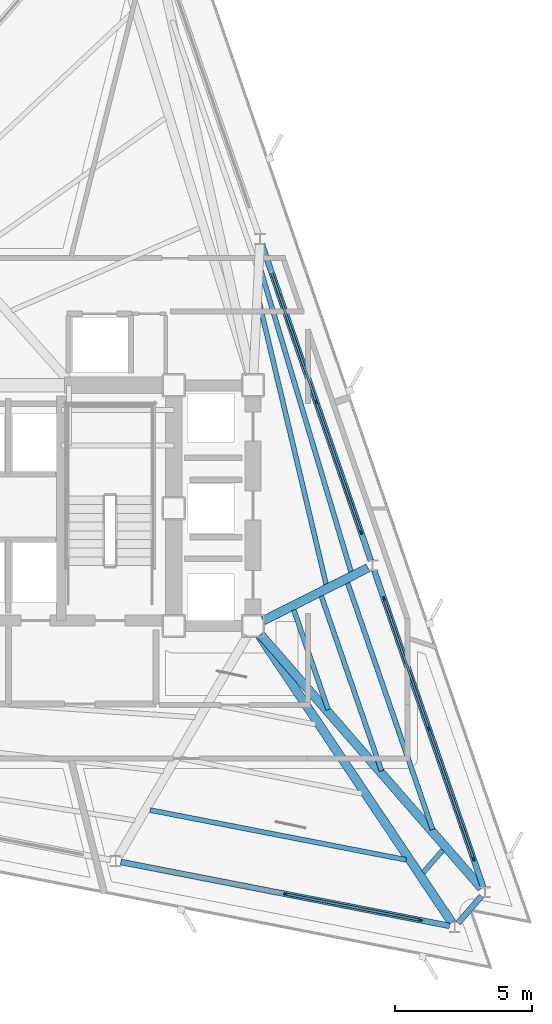
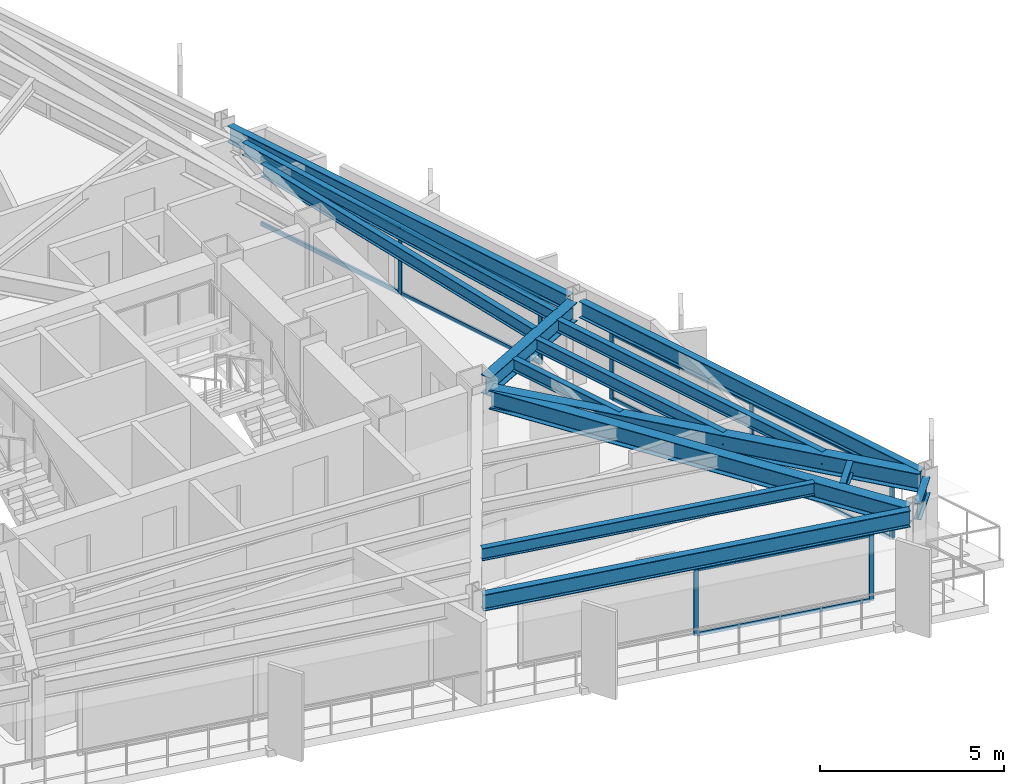
# One storey, part 6 of 13: 17 members, 14 beams, 3 elements without a shape of their own.
"""IFC4 building model written with IfcOpenShell, lengths in metres."""

from ifc_helpers import new_model, si_unit, direction, frame, origin, origin_2d, place, context, subcontext, project, spatial, rectangle, i_section, extrude, material, layer, layer_set, material_profile, profile_set, type_object, element, aggregate, save


model = new_model("IFC4")

# Units and contexts
model_context = context("Model", 3, precision=1e-05, world=origin(), true_north=direction((0.0, 1.0)))
body_context = subcontext(model_context, "Body", "Model", "MODEL_VIEW")
ifc_project = project(units=[si_unit("LENGTHUNIT", "METRE"), si_unit("AREAUNIT", "SQUARE_METRE"), si_unit("VOLUMEUNIT", "CUBIC_METRE"), si_unit("PLANEANGLEUNIT", "RADIAN"), si_unit("MASSUNIT", "GRAM", prefix="KILO")], contexts=[model_context])

# Site, building, storey
site_placement = place(None, origin())
site = spatial("IfcSite", under=ifc_project, at=site_placement, CompositionType="ELEMENT")
building_placement = place(site_placement, origin())
building = spatial("IfcBuilding", under=site, at=building_placement, Name="Rocaltana Carrier Exchange", CompositionType="ELEMENT")
storey_placement = place(building_placement, frame((0.0, 0.0, 150.239990234375)))
storey = spatial("IfcBuildingStorey", under=building, at=storey_placement, Name="L47", CompositionType="ELEMENT", Elevation=150.239990234375)

# Curtain wall, members
ifc_material_1 = material(Name="Aluminium 6063-T6", Category="aluminium")
ifc_layer = layer(ifc_material_1, 0.135009765625)
ifc_layer_set = layer_set([ifc_layer], Name="Aluminium 6063-T6")
curtain_wall_type = type_object("IfcCurtainWallType", Name="Upper-Mid Acoustic Curtain Wall CW-04", PredefinedType="NOTDEFINED", material=ifc_layer_set)
curtain_wall_1_placement = place(storey_placement, origin())
curtain_wall_1 = element("IfcCurtainWall", 1, at=curtain_wall_1_placement, inside=storey, type_object=curtain_wall_type, Name="L47 CW-04 Run CW-L47-F1S1", PredefinedType="NOTDEFINED")
ifc_material_2 = material(Name="Aluminium 6063-T6", Category="aluminium")
ifc_material_profile_1 = material_profile(ifc_material_2, rectangle(XDim=0.06494140625, YDim=0.135009765625, at=origin_2d()), Name="AL-65X135")
ifc_profile_set_1 = profile_set([ifc_material_profile_1], Name="Aluminium 6063-T6")
member_type_1 = type_object("IfcMemberType", Name="CW-04 Mullion AL-65X135", PredefinedType="MULLION", material=ifc_profile_set_1)
member_1_placement = place(storey_placement, frame((17.016357421875, -12.826171875, 0.0), z_axis=(0.0, 0.0, 1.0), x_axis=(-0.945521800517, -0.325558788464, 0.0)))
member_1 = element("IfcMember", 2, at=member_1_placement, type_object=member_type_1, Name="CW-04 mullion 1", PredefinedType="MULLION", context=body_context, shape_type="SweptSolid", body=[
    extrude(rectangle(XDim=0.06494140625, YDim=0.135009765625, at=origin_2d()), origin(), (0.0, 0.0, 1.0), 2.218017578125),
])
member_2_placement = place(storey_placement, frame((15.37744140625, -8.06640625, 0.0), z_axis=(0.0, 0.0, 1.0), x_axis=(-0.945521800517, -0.325558788464, 0.0)))
member_2 = element("IfcMember", 3, at=member_2_placement, type_object=member_type_1, Name="CW-04 mullion 2", PredefinedType="MULLION", context=body_context, shape_type="SweptSolid", body=[
    extrude(rectangle(XDim=0.06494140625, YDim=0.135009765625, at=origin_2d()), origin(), (0.0, 0.0, 1.0), 2.218017578125),
])
member_3_placement = place(storey_placement, frame((13.738525390625, -3.306396484375, 0.0), z_axis=(0.0, 0.0, 1.0), x_axis=(-0.945521800517, -0.325558788464, 0.0)))
member_3 = element("IfcMember", 4, at=member_3_placement, type_object=member_type_1, Name="CW-04 mullion 3", PredefinedType="MULLION", context=body_context, shape_type="SweptSolid", body=[
    extrude(rectangle(XDim=0.06494140625, YDim=0.135009765625, at=origin_2d()), origin(), (0.0, 0.0, 1.0), 2.218017578125),
])

curtain_wall_2_placement = place(storey_placement, origin())
curtain_wall_2 = element("IfcCurtainWall", 5, at=curtain_wall_2_placement, inside=storey, type_object=curtain_wall_type, Name="L47 CW-04 Run CW-L47-F1S2", PredefinedType="NOTDEFINED")
member_4_placement = place(storey_placement, frame((12.9033203125, -0.881103515625, 0.0), z_axis=(0.0, 0.0, 1.0), x_axis=(-0.945520754562, -0.32556182622, 0.0)))
member_4 = element("IfcMember", 6, at=member_4_placement, type_object=member_type_1, Name="CW-04 mullion 1", PredefinedType="MULLION", context=body_context, shape_type="SweptSolid", body=[
    extrude(rectangle(XDim=0.06494140625, YDim=0.135009765625, at=origin_2d()), origin(), (0.0, 0.0, 1.0), 2.218017578125),
])
member_5_placement = place(storey_placement, frame((11.264404296875, 3.878662109375, 0.0), z_axis=(0.0, 0.0, 1.0), x_axis=(-0.945520754562, -0.32556182622, 0.0)))
member_5 = element("IfcMember", 7, at=member_5_placement, type_object=member_type_1, Name="CW-04 mullion 2", PredefinedType="MULLION", context=body_context, shape_type="SweptSolid", body=[
    extrude(rectangle(XDim=0.06494140625, YDim=0.135009765625, at=origin_2d()), origin(), (0.0, 0.0, 1.0), 2.218017578125),
])

curtain_wall_3_placement = place(storey_placement, origin())
curtain_wall_3 = element("IfcCurtainWall", 8, at=curtain_wall_3_placement, inside=storey, type_object=curtain_wall_type, Name="L47 CW-04 Run CW-L47-F3S3", PredefinedType="NOTDEFINED")
member_6_placement = place(storey_placement, frame((10.1279296875, -14.105224609375, 0.0), z_axis=(0.0, 0.0, 1.0), x_axis=(0.190805209699, 0.981627919301, 0.0)))
member_6 = element("IfcMember", 9, at=member_6_placement, type_object=member_type_1, Name="CW-04 mullion 2", PredefinedType="MULLION", context=body_context, shape_type="SweptSolid", body=[
    extrude(rectangle(XDim=0.06494140625, YDim=0.135009765625, at=origin_2d()), origin(), (0.0, 0.0, 1.0), 2.218017578125),
])
member_7_placement = place(storey_placement, frame((15.069580078125, -15.06591796875, 0.0), z_axis=(0.0, 0.0, 1.0), x_axis=(0.190805209699, 0.981627919301, 0.0)))
member_7 = element("IfcMember", 10, at=member_7_placement, type_object=member_type_1, Name="CW-04 mullion 3", PredefinedType="MULLION", context=body_context, shape_type="SweptSolid", body=[
    extrude(rectangle(XDim=0.06494140625, YDim=0.135009765625, at=origin_2d()), origin(), (0.0, 0.0, 1.0), 2.218017578125),
])

# Member
ifc_material_3 = material(Name="Aluminium 6063-T6", Category="aluminium")
ifc_material_profile_2 = material_profile(ifc_material_3, rectangle(XDim=0.06494140625, YDim=0.135009765625, at=origin_2d()), Name="AL-65X135")
ifc_profile_set_2 = profile_set([ifc_material_profile_2], Name="Aluminium 6063-T6")
member_type_2 = type_object("IfcMemberType", Name="CW-04 Transom AL-65X135", PredefinedType="USERDEFINED", material=ifc_profile_set_2)
member_8_placement = place(storey_placement, frame((17.005859375, -12.795654296875, 0.032470703125), z_axis=(-0.325542462737, 0.945527421578, 0.0), x_axis=(-0.945527421578, -0.325542462737, 0.0)))
member_8 = element("IfcMember", 11, at=member_8_placement, type_object=member_type_2, Name="CW-04 transom 1.1", ObjectType="TRANSOM", PredefinedType="USERDEFINED", context=body_context, shape_type="SweptSolid", body=[
    extrude(rectangle(XDim=0.06494140625, YDim=0.135009765625, at=origin_2d()), origin(), (0.0, 0.0, 1.0), 4.96923828125),
])

member_9_placement = place(storey_placement, frame((17.005859375, -12.795654296875, 2.185546875), z_axis=(-0.325542462737, 0.945527421578, 0.0), x_axis=(-0.945527421578, -0.325542462737, 0.0)))
member_9 = element("IfcMember", 12, at=member_9_placement, type_object=member_type_2, Name="CW-04 transom 1.2", ObjectType="TRANSOM", PredefinedType="USERDEFINED", context=body_context, shape_type="SweptSolid", body=[
    extrude(rectangle(XDim=0.06494140625, YDim=0.135009765625, at=origin_2d()), origin(), (0.0, 0.0, 1.0), 4.96923828125),
])

member_10_placement = place(storey_placement, frame((15.366943359375, -8.03564453125, 0.032470703125), z_axis=(-0.325542462737, 0.945527421578, 0.0), x_axis=(-0.945527421578, -0.325542462737, 0.0)))
member_10 = element("IfcMember", 13, at=member_10_placement, type_object=member_type_2, Name="CW-04 transom 2.1", ObjectType="TRANSOM", PredefinedType="USERDEFINED", context=body_context, shape_type="SweptSolid", body=[
    extrude(rectangle(XDim=0.06494140625, YDim=0.135009765625, at=origin_2d()), origin(), (0.0, 0.0, 1.0), 4.96923828125),
])

member_11_placement = place(storey_placement, frame((15.366943359375, -8.03564453125, 2.185546875), z_axis=(-0.325542462737, 0.945527421578, 0.0), x_axis=(-0.945527421578, -0.325542462737, 0.0)))
member_11 = element("IfcMember", 14, at=member_11_placement, type_object=member_type_2, Name="CW-04 transom 2.2", ObjectType="TRANSOM", PredefinedType="USERDEFINED", context=body_context, shape_type="SweptSolid", body=[
    extrude(rectangle(XDim=0.06494140625, YDim=0.135009765625, at=origin_2d()), origin(), (0.0, 0.0, 1.0), 4.96923828125),
])

aggregate(curtain_wall_1, [member_1, member_2, member_3, member_8, member_9, member_10, member_11])

member_12_placement = place(storey_placement, frame((12.892822265625, -0.850341796875, 0.032470703125), z_axis=(-0.325557586399, 0.945522214407, 0.0), x_axis=(-0.945522214407, -0.325557586399, 0.0)))
member_12 = element("IfcMember", 15, at=member_12_placement, type_object=member_type_2, Name="CW-04 transom 1.1", ObjectType="TRANSOM", PredefinedType="USERDEFINED", context=body_context, shape_type="SweptSolid", body=[
    extrude(rectangle(XDim=0.06494140625, YDim=0.135009765625, at=origin_2d()), origin(), (0.0, 0.0, 1.0), 4.968994140625),
])

member_13_placement = place(storey_placement, frame((12.892822265625, -0.850341796875, 2.185546875), z_axis=(-0.325557586399, 0.945522214407, 0.0), x_axis=(-0.945522214407, -0.325557586399, 0.0)))
member_13 = element("IfcMember", 16, at=member_13_placement, type_object=member_type_2, Name="CW-04 transom 1.2", ObjectType="TRANSOM", PredefinedType="USERDEFINED", context=body_context, shape_type="SweptSolid", body=[
    extrude(rectangle(XDim=0.06494140625, YDim=0.135009765625, at=origin_2d()), origin(), (0.0, 0.0, 1.0), 4.968994140625),
])

member_14_placement = place(storey_placement, frame((11.25390625, 3.909423828125, 0.032470703125), z_axis=(-0.325542462737, 0.945527421578, 0.0), x_axis=(-0.945527421578, -0.325542462737, 0.0)))
member_14 = element("IfcMember", 17, at=member_14_placement, type_object=member_type_2, Name="CW-04 transom 2.1", ObjectType="TRANSOM", PredefinedType="USERDEFINED", context=body_context, shape_type="SweptSolid", body=[
    extrude(rectangle(XDim=0.06494140625, YDim=0.135009765625, at=origin_2d()), origin(), (0.0, 0.0, 1.0), 4.96923828125),
])

member_15_placement = place(storey_placement, frame((11.25390625, 3.909423828125, 2.185546875), z_axis=(-0.325542462737, 0.945527421578, 0.0), x_axis=(-0.945527421578, -0.325542462737, 0.0)))
member_15 = element("IfcMember", 18, at=member_15_placement, type_object=member_type_2, Name="CW-04 transom 2.2", ObjectType="TRANSOM", PredefinedType="USERDEFINED", context=body_context, shape_type="SweptSolid", body=[
    extrude(rectangle(XDim=0.06494140625, YDim=0.135009765625, at=origin_2d()), origin(), (0.0, 0.0, 1.0), 4.96923828125),
])

aggregate(curtain_wall_2, [member_4, member_5, member_12, member_13, member_14, member_15])

member_16_placement = place(storey_placement, frame((10.159912109375, -14.111572265625, 0.032470703125), z_axis=(0.981633795462, -0.190774976365, 0.0), x_axis=(0.190774976365, 0.981633795462, 0.0)))
member_16 = element("IfcMember", 19, at=member_16_placement, type_object=member_type_2, Name="CW-04 transom 2.1", ObjectType="TRANSOM", PredefinedType="USERDEFINED", context=body_context, shape_type="SweptSolid", body=[
    extrude(rectangle(XDim=0.06494140625, YDim=0.135009765625, at=origin_2d()), origin(), (0.0, 0.0, 1.0), 4.96923828125),
])

member_17_placement = place(storey_placement, frame((10.159912109375, -14.111572265625, 2.185546875), z_axis=(0.981633795462, -0.190774976365, 0.0), x_axis=(0.190774976365, 0.981633795462, 0.0)))
member_17 = element("IfcMember", 20, at=member_17_placement, type_object=member_type_2, Name="CW-04 transom 2.2", ObjectType="TRANSOM", PredefinedType="USERDEFINED", context=body_context, shape_type="SweptSolid", body=[
    extrude(rectangle(XDim=0.06494140625, YDim=0.135009765625, at=origin_2d()), origin(), (0.0, 0.0, 1.0), 4.96923828125),
])

aggregate(curtain_wall_3, [member_6, member_7, member_16, member_17])

# Beams
ifc_material_4 = material(Name="Steel S355", Category="steel")
ifc_material_profile_3 = material_profile(ifc_material_4, i_section(OverallWidth=0.179931640625, OverallDepth=0.4130859375, WebThickness=0.009765625, FlangeThickness=0.01611328125, FilletRadius=0.012939453125, at=origin_2d()), Name="W16X50")
ifc_profile_set_3 = profile_set([ifc_material_profile_3], Name="Steel S355")
beam_type_1 = type_object("IfcBeamType", Name="Floor Joist W16X50", PredefinedType="JOIST", material=ifc_profile_set_3)
beam_1_placement = place(storey_placement, frame((11.698974609375, -7.3662109375, 2.58154296875), z_axis=(-0.325612206056, 0.94550340627, 0.0), x_axis=(-0.94550340627, -0.325612206056, 0.0)))
element("IfcBeam", 21, at=beam_1_placement, inside=storey, type_object=beam_type_1, Name="FJ-L47-01-1", PredefinedType="JOIST", context=body_context, shape_type="SweptSolid", body=[
    extrude(i_section(OverallWidth=0.179931640625, OverallDepth=0.4130859375, WebThickness=0.009765625, FlangeThickness=0.01611328125, FilletRadius=0.012939453125, at=origin_2d()), origin(), (0.0, 0.0, 1.0), 3.85693359375),
])
beam_2_placement = place(storey_placement, frame((13.650390625, -9.606201171875, 2.58154296875), z_axis=(-0.325591245861, 0.945510624276, 0.0), x_axis=(-0.945510624276, -0.325591245861, 0.0)))
element("IfcBeam", 22, at=beam_2_placement, inside=storey, type_object=beam_type_1, Name="FJ-L47-01-2", PredefinedType="JOIST", context=body_context, shape_type="SweptSolid", body=[
    extrude(i_section(OverallWidth=0.179931640625, OverallDepth=0.4130859375, WebThickness=0.009765625, FlangeThickness=0.01611328125, FilletRadius=0.012939453125, at=origin_2d()), origin(), (0.0, 0.0, 1.0), 6.7626953125),
])
beam_3_placement = place(storey_placement, frame((15.5166015625, -11.748779296875, 2.58154296875), z_axis=(-0.325561689651, 0.945520801586, 0.0), x_axis=(-0.945520801586, -0.325561689651, 0.0)))
element("IfcBeam", 23, at=beam_3_placement, inside=storey, type_object=beam_type_1, Name="FJ-L47-01-3", PredefinedType="JOIST", context=body_context, shape_type="SweptSolid", body=[
    extrude(i_section(OverallWidth=0.179931640625, OverallDepth=0.4130859375, WebThickness=0.009765625, FlangeThickness=0.01611328125, FilletRadius=0.012939453125, at=origin_2d()), origin(), (0.0, 0.0, 1.0), 9.541748046875),
])
beam_4_placement = place(storey_placement, frame((11.6240234375, -2.780517578125, 2.58154296875), z_axis=(-0.230805777183, 0.972999842353, 0.0), x_axis=(-0.972999842353, -0.230805777183, 0.0)))
element("IfcBeam", 24, at=beam_4_placement, inside=storey, type_object=beam_type_1, Name="FJ-L47-02-2", PredefinedType="JOIST", context=body_context, shape_type="SweptSolid", body=[
    extrude(i_section(OverallWidth=0.179931640625, OverallDepth=0.4130859375, WebThickness=0.009765625, FlangeThickness=0.01611328125, FilletRadius=0.012939453125, at=origin_2d()), origin(), (0.0, 0.0, 1.0), 10.736328125),
])
beam_5_placement = place(storey_placement, frame((12.533203125, -2.3193359375, 2.58154296875), z_axis=(-0.286621662233, 0.9580438522, 0.0), x_axis=(-0.9580438522, -0.286621662233, 0.0)))
element("IfcBeam", 25, at=beam_5_placement, inside=storey, type_object=beam_type_1, Name="FJ-L47-02-3", PredefinedType="JOIST", context=body_context, shape_type="SweptSolid", body=[
    extrude(i_section(OverallWidth=0.179931640625, OverallDepth=0.4130859375, WebThickness=0.009765625, FlangeThickness=0.01611328125, FilletRadius=0.012939453125, at=origin_2d()), origin(), (0.0, 0.0, 1.0), 11.597900390625),
])
beam_6_placement = place(storey_placement, frame((5.185546875, -11.037841796875, 2.58154296875), z_axis=(0.981630034489, -0.190794327456, 0.0), x_axis=(0.190794327456, 0.981630034489, 0.0)))
element("IfcBeam", 26, at=beam_6_placement, inside=storey, type_object=beam_type_1, Name="FJ-L47-11-3", PredefinedType="JOIST", context=body_context, shape_type="SweptSolid", body=[
    extrude(i_section(OverallWidth=0.179931640625, OverallDepth=0.4130859375, WebThickness=0.009765625, FlangeThickness=0.01611328125, FilletRadius=0.012939453125, at=origin_2d()), origin(), (0.0, 0.0, 1.0), 9.5419921875),
])
beam_7_placement = place(storey_placement, frame((15.176513671875, -13.321044921875, 2.58154296875), z_axis=(0.65606745581, 0.754702254817, 0.0), x_axis=(-0.754702254817, 0.65606745581, 0.0)))
element("IfcBeam", 27, at=beam_7_placement, inside=storey, type_object=beam_type_1, Name="FJ-L47-12-3", PredefinedType="JOIST", context=body_context, shape_type="SweptSolid", body=[
    extrude(i_section(OverallWidth=0.179931640625, OverallDepth=0.4130859375, WebThickness=0.009765625, FlangeThickness=0.01611328125, FilletRadius=0.012939453125, at=origin_2d()), origin(), (0.0, 0.0, 1.0), 1.086669921875),
])
ifc_material_5 = material(Name="Steel S355", Category="steel")
ifc_material_profile_4 = material_profile(ifc_material_5, i_section(OverallWidth=0.323974609375, OverallDepth=0.611083984375, WebThickness=0.0126953125, FlangeThickness=0.01904296875, FilletRadius=0.01611328125, at=origin_2d()), Name="W24X104")
ifc_profile_set_4 = profile_set([ifc_material_profile_4], Name="Steel S355")
beam_type_2 = type_object("IfcBeamType", Name="Radial Girder W24X104", PredefinedType="BEAM", material=ifc_profile_set_4)
beam_8_placement = place(storey_placement, frame((9.223876953125, -4.614501953125, 2.482421875), z_axis=(0.656855698811, -0.754016306813, 0.0), x_axis=(0.754016306813, 0.656855698811, 0.0)))
element("IfcBeam", 28, at=beam_8_placement, inside=storey, type_object=beam_type_2, Name="RG-L47-01", PredefinedType="BEAM", context=body_context, shape_type="SweptSolid", body=[
    extrude(i_section(OverallWidth=0.323974609375, OverallDepth=0.611083984375, WebThickness=0.0126953125, FlangeThickness=0.01904296875, FilletRadius=0.01611328125, at=origin_2d()), origin(), (0.0, 0.0, 1.0), 12.307373046875),
])
beam_9_placement = place(storey_placement, frame((9.322265625, -4.112060546875, 2.482421875), z_axis=(0.892735357943, 0.45058138075, 0.0), x_axis=(-0.45058138075, 0.892735357943, 0.0)))
element("IfcBeam", 29, at=beam_9_placement, inside=storey, type_object=beam_type_2, Name="RG-L47-02", PredefinedType="BEAM", context=body_context, shape_type="SweptSolid", body=[
    extrude(i_section(OverallWidth=0.323974609375, OverallDepth=0.611083984375, WebThickness=0.0126953125, FlangeThickness=0.01904296875, FilletRadius=0.01611328125, at=origin_2d()), origin(), (0.0, 0.0, 1.0), 4.28759765625),
])
beam_10_placement = place(storey_placement, frame((9.18212890625, -4.646484375, 2.482421875), z_axis=(0.556699029472, -0.830714265307, 0.0), x_axis=(0.830714265307, 0.556699029472, 0.0)))
element("IfcBeam", 30, at=beam_10_placement, inside=storey, type_object=beam_type_2, Name="RG-L47-12", PredefinedType="BEAM", context=body_context, shape_type="SweptSolid", body=[
    extrude(i_section(OverallWidth=0.323974609375, OverallDepth=0.611083984375, WebThickness=0.0126953125, FlangeThickness=0.01904296875, FilletRadius=0.01611328125, at=origin_2d()), origin(), (0.0, 0.0, 1.0), 12.6455078125),
])
ifc_material_6 = material(Name="Steel S355", Category="steel")
ifc_material_profile_5 = material_profile(ifc_material_6, i_section(OverallWidth=0.2119140625, OverallDepth=0.5439453125, WebThickness=0.01318359375, FlangeThickness=0.021240234375, FilletRadius=0.014892578125, at=origin_2d()), Name="W21X83")
ifc_profile_set_5 = profile_set([ifc_material_profile_5], Name="Steel S355")
beam_type_3 = type_object("IfcBeamType", Name="Spandrel Edge Beam W21X83", PredefinedType="SPANDREL", material=ifc_profile_set_5)
beam_11_placement = place(storey_placement, frame((17.37158203125, -13.85791015625, 2.51611328125), z_axis=(-0.325563178489, 0.945520288948, 0.0), x_axis=(-0.945520288948, -0.325563178489, 0.0)))
element("IfcBeam", 31, at=beam_11_placement, inside=storey, type_object=beam_type_3, Name="SP-L47-01", PredefinedType="SPANDREL", context=body_context, shape_type="SweptSolid", body=[
    extrude(i_section(OverallWidth=0.2119140625, OverallDepth=0.5439453125, WebThickness=0.01318359375, FlangeThickness=0.021240234375, FilletRadius=0.014892578125, at=origin_2d()), origin(), (0.0, 0.0, 1.0), 12.25048828125),
])
for number, where, z_axis, x_axis, name in (
    (32, (13.2587890625, -1.91259765625, 2.51611328125), (-0.325587130278, 0.945512041487, 0.0), (-0.945512041487, -0.325587130278, 0.0), "SP-L47-02"),
    (33, (4.115478515625, -12.9365234375, 2.51611328125), (0.981627937951, -0.190805113754, 0.0), (0.190805113754, 0.981627937951, 0.0), "SP-L47-11"),
):
    element("IfcBeam", number, at=place(storey_placement, frame(where, z_axis=z_axis, x_axis=x_axis)), inside=storey, type_object=beam_type_3, Name=name, PredefinedType="SPANDREL", context=body_context, shape_type="SweptSolid", body=[
        extrude(i_section(OverallWidth=0.2119140625, OverallDepth=0.5439453125, WebThickness=0.01318359375, FlangeThickness=0.021240234375, FilletRadius=0.014892578125, at=origin_2d()), origin(), (0.0, 0.0, 1.0), 12.250244140625),
    ])
beam_12_placement = place(storey_placement, frame((16.4541015625, -15.166015625, 2.51611328125), z_axis=(0.65607193879, 0.754698357711, 0.0), x_axis=(-0.754698357711, 0.65607193879, 0.0)))
element("IfcBeam", 34, at=beam_12_placement, inside=storey, type_object=beam_type_3, Name="SP-L47-12", PredefinedType="SPANDREL", context=body_context, shape_type="SweptSolid", body=[
    extrude(i_section(OverallWidth=0.2119140625, OverallDepth=0.5439453125, WebThickness=0.01318359375, FlangeThickness=0.021240234375, FilletRadius=0.014892578125, at=origin_2d()), origin(), (0.0, 0.0, 1.0), 1.302001953125),
])

save(model, "model.ifc")
